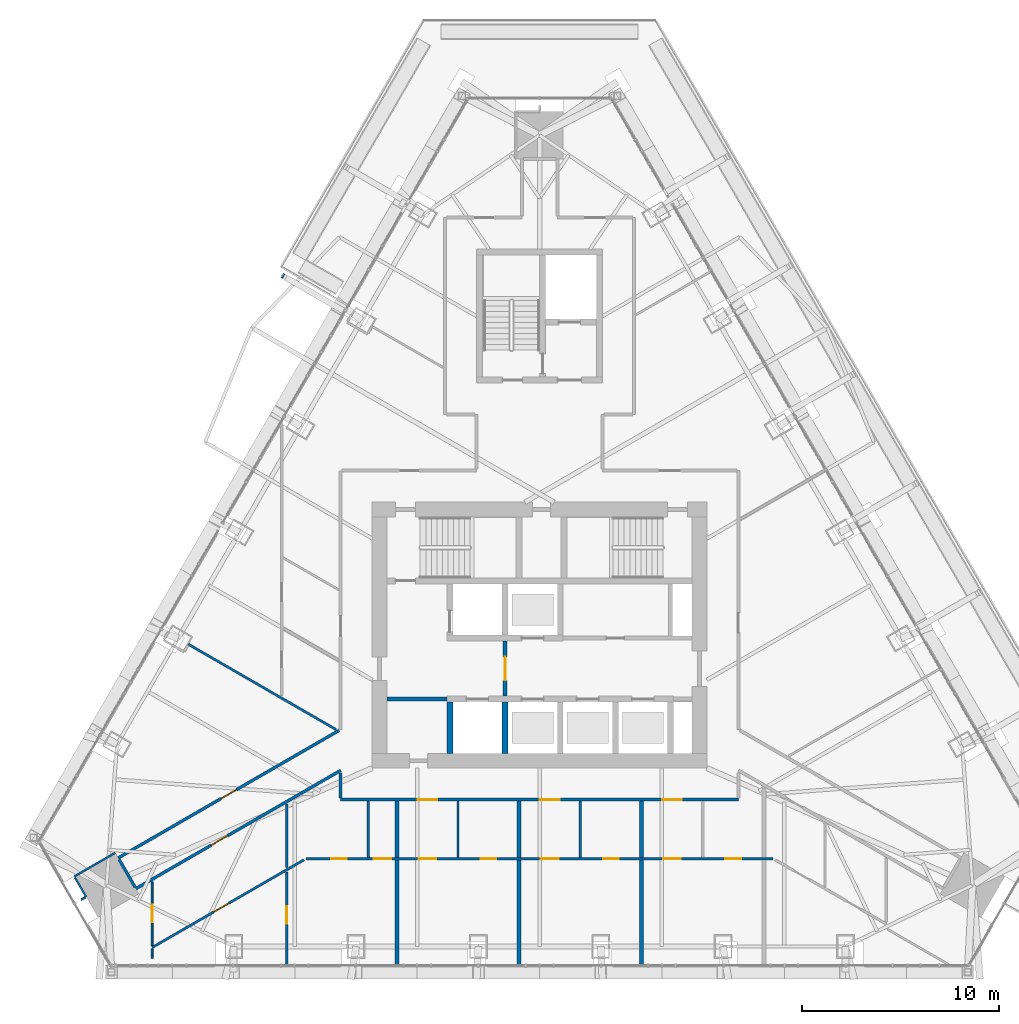
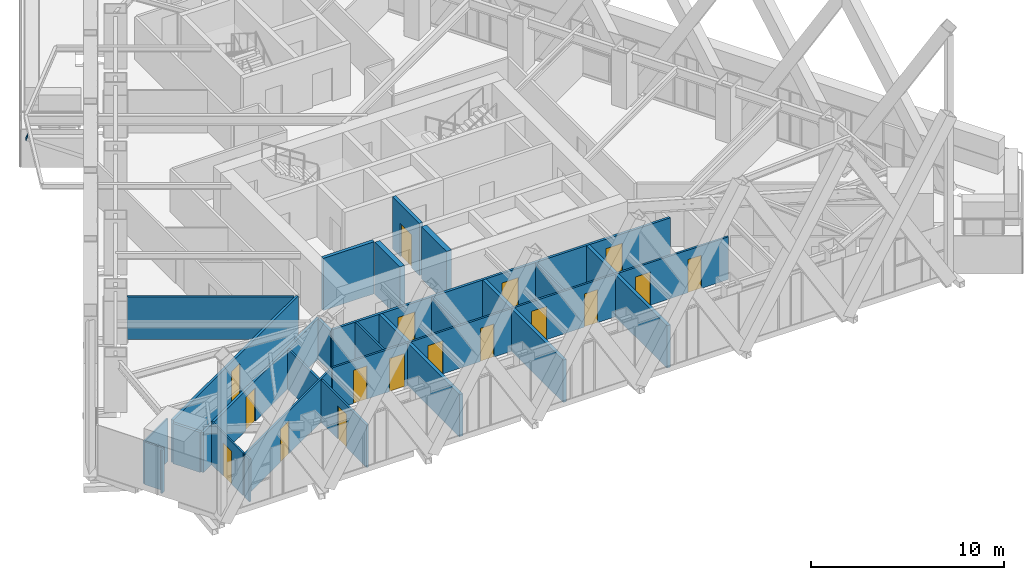
# One storey, part 17 of 23: 28 walls, 17 doors, 1 plate, 17 openings.
"""IFC4 building model written with IfcOpenShell, lengths in metres."""

from ifc_helpers import new_model, si_unit, direction, frame, frame_2d, origin, place, context, subcontext, project, spatial, polyline, rectangle, outline, extrude, material, layer, layer_set, type_object, element, fill, save


model = new_model("IFC4")

# Units and contexts
model_context = context("Model", 3, precision=1e-05, world=origin(), true_north=direction((0.0, 1.0)))
body_context = subcontext(model_context, "Body", "Model", "MODEL_VIEW")
ifc_project = project(units=[si_unit("LENGTHUNIT", "METRE"), si_unit("AREAUNIT", "SQUARE_METRE"), si_unit("VOLUMEUNIT", "CUBIC_METRE"), si_unit("PLANEANGLEUNIT", "RADIAN"), si_unit("MASSUNIT", "GRAM", prefix="KILO")], contexts=[model_context])

# Site, building, storey
site_placement = place(None, origin())
site = spatial("IfcSite", under=ifc_project, at=site_placement, CompositionType="ELEMENT")
building_placement = place(site_placement, origin())
building = spatial("IfcBuilding", under=site, at=building_placement, Name="Firuza Gate Tower and Library", CompositionType="ELEMENT")
storey_placement = place(building_placement, frame((0.0, 0.0, 291.60009765625)))
storey = spatial("IfcBuildingStorey", under=building, at=storey_placement, Name="L70", CompositionType="ELEMENT", Elevation=291.60009765625)

# Plate
ifc_material_1 = material(Name="Steel S355", Category="steel")
ifc_layer_1 = layer(ifc_material_1, 0.02001953125)
ifc_layer_set_1 = layer_set([ifc_layer_1], Name="Strut end plate 254x254x20 Steel S355")
plate_type = type_object("IfcPlateType", Name="Strut end plate 254x254x20 Steel S355", PredefinedType="SHEET", material=ifc_layer_set_1)
plate_placement = place(storey_placement, frame((62.059814453125, 93.337890625, -0.14453125), z_axis=(-0.806901125776, 0.466139884535, 0.362800470323), x_axis=(-0.500268961841, -0.865870051474, -0.00014063566)))
element("IfcPlate", 1, at=plate_placement, inside=storey, type_object=plate_type, Name="Strut end plate L70 col:L69:W2", PredefinedType="SHEET", context=body_context, shape_type="SweptSolid", body=[
    extrude(outline(polyline([(0.0, 0.0), (0.25409888806091846, 0.0), (0.25399501056720564, -0.2538308435052653), (1.8258483299107725e-05, -0.2539075213631812), (0.0, 0.0)])), origin(), (0.0, 0.0, -1.0), 0.02001953125),
])

# Wall
ifc_material_2 = material(Name="Plasterboard on steel studs", Category="steel")
ifc_layer_2 = layer(ifc_material_2, 0.199951171875)
ifc_layer_set_2 = layer_set([ifc_layer_2], Name="Core partition 200 EI 60")
wall_type_1 = type_object("IfcWallType", Name="Core partition 200 EI 60", PredefinedType="PARTITIONING", material=ifc_layer_set_2)
wall_1_placement = place(storey_placement, frame((67.25, 71.75, 0.0), z_axis=(0.0, 0.0, 1.0), x_axis=(1.0, 0.0, 0.0)))
element("IfcWall", 2, at=wall_1_placement, inside=storey, type_object=wall_type_1, Name="Core partition L70 1", PredefinedType="PARTITIONING", context=body_context, shape_type="SweptSolid", body=[
    extrude(rectangle(XDim=3.050048828125, YDim=0.199951171875, at=frame_2d((1.52490234375, 0.0))), origin(), (0.0, 0.0, 1.0), 3.2998046875),
])

# Wall, opening, door
wall_2_placement = place(storey_placement, frame((73.25, 71.89990234375, 0.0), z_axis=(0.0, 0.0, 1.0), x_axis=(0.0, 1.0, 0.0)))
wall_2 = element("IfcWall", 3, at=wall_2_placement, inside=storey, type_object=wall_type_1, Name="Core partition L70 4", PredefinedType="PARTITIONING", context=body_context, shape_type="SweptSolid", body=[
    extrude(rectangle(XDim=2.800048828125, YDim=0.199951171875, at=frame_2d((1.39990234375, 0.0))), origin(), (0.0, 0.0, 1.0), 3.2998046875),
])
opening_1_placement = place(wall_2_placement, frame((0.800048828125, 0.0, 0.0)))
opening_1 = element("IfcOpeningElement", 4, at=opening_1_placement, cuts=wall_2, Name="Opening L70-K14", PredefinedType="OPENING", context=body_context, shape_type="SweptSolid", body=[
    extrude(rectangle(XDim=1.199951171875, YDim=2.10009765625, at=frame_2d((0.60009765625, 1.050048828125))), frame((0.0, 0.10986328125, 0.0), z_axis=(0.0, -1.0, 0.0), x_axis=(1.0, 0.0, 0.0)), (0.0, 0.0, 1.0), 0.219970703125),
])
ifc_material_3 = material(Name="Steel", Category="steel")
door_type_1 = type_object("IfcDoorType", Name="Fire door 1200x2100 FD90S", OperationType="NOTDEFINED", PredefinedType="DOOR", material=ifc_material_3)
door_1_placement = place(opening_1_placement, origin())
door_1 = element("IfcDoor", 5, at=door_1_placement, inside=storey, type_object=door_type_1, Name="Door L70-K14", OperationType="SINGLE_SWING_LEFT", OverallHeight=2.10009765625, OverallWidth=1.199951171875, PredefinedType="DOOR", context=body_context, shape_type="SweptSolid", body=[
    extrude(rectangle(XDim=1.199951171875, YDim=2.10009765625, at=frame_2d((0.60009765625, 1.050048828125))), frame((0.0, 0.02490234375, 0.0), z_axis=(0.0, -1.0, 0.0), x_axis=(1.0, 0.0, 0.0)), (0.0, 0.0, 1.0), 0.050048828125),
])
fill(opening_1, door_1)

# Walls
ifc_material_4 = material(Name="Concrete C60/75", Category="concrete")
ifc_layer_3 = layer(ifc_material_4, 0.300048828125)
ifc_layer_set_3 = layer_set([ifc_layer_3], Name="Core wall 300 C60/75")
wall_type_2 = type_object("IfcWallType", Name="Core wall 300 C60/75", PredefinedType="SHEAR", material=ifc_layer_set_3)
for number, where, z_axis, x_axis, name in (
    (6, (70.449951171875, 69.0, 0.0), (0.0, 0.0, 1.0), (0.0, 1.0, 0.0), "Core wall L70 7"),
    (7, (73.25, 69.0, 0.0), (0.0, 0.0, 1.0), (0.0, 1.0, 0.0), "Core wall L70 9"),
):
    element("IfcWall", number, at=place(storey_placement, frame(where, z_axis=z_axis, x_axis=x_axis)), inside=storey, type_object=wall_type_2, Name=name, PredefinedType="SHEAR", context=body_context, shape_type="SweptSolid", body=[
        extrude(rectangle(XDim=2.60009765625, YDim=0.300048828125, at=frame_2d((1.300048828125, 0.0))), origin(), (0.0, 0.0, 1.0), 3.2998046875),
    ])

# Wall, openings, doors
ifc_material_5 = material(Name="Gypsum board partition")
ifc_layer_4 = layer(ifc_material_5, 0.14990234375)
ifc_layer_set_4 = layer_set([ifc_layer_4], Name="Corridor wall 150 double board on steel studs")
wall_type_3 = type_object("IfcWallType", Name="Corridor wall 150 double board on steel studs", PredefinedType="PARTITIONING", material=ifc_layer_set_4)
wall_3_placement = place(storey_placement, frame((85.10009765625, 66.64990234375, 0.0), z_axis=(0.0, 0.0, 1.0), x_axis=(-1.0, 0.0, 0.0)))
wall_3 = element("IfcWall", 8, at=wall_3_placement, inside=storey, type_object=wall_type_3, Name="f:L70:w001", PredefinedType="PARTITIONING", context=body_context, shape_type="SweptSolid", body=[
    extrude(rectangle(XDim=20.2001953125, YDim=0.14990234375, at=frame_2d((10.10009765625, 0.0))), origin(), (0.0, 0.0, 1.0), 2.699951171875),
])
opening_2_placement = place(wall_3_placement, frame((2.868896484375, 0.0, 0.0)))
opening_2 = element("IfcOpeningElement", 9, at=opening_2_placement, cuts=wall_3, Name="Opening L70-09", PredefinedType="OPENING", context=body_context, shape_type="SweptSolid", body=[
    extrude(rectangle(XDim=1.0, YDim=2.10009765625, at=frame_2d((0.5, 1.050048828125))), frame((0.0, 0.0849609375, 0.0), z_axis=(0.0, -1.0, 0.0), x_axis=(1.0, 0.0, 0.0)), (0.0, 0.0, 1.0), 0.169921875),
])
opening_3_placement = place(wall_3_placement, frame((9.082275390625, 0.0, 0.0)))
opening_3 = element("IfcOpeningElement", 10, at=opening_3_placement, cuts=wall_3, Name="Opening L70-10", PredefinedType="OPENING", context=body_context, shape_type="SweptSolid", body=[
    extrude(rectangle(XDim=1.0, YDim=2.10009765625, at=frame_2d((0.5, 1.050048828125))), frame((0.0, 0.0849609375, 0.0), z_axis=(0.0, -1.0, 0.0), x_axis=(1.0, 0.0, 0.0)), (0.0, 0.0, 1.0), 0.169921875),
])
opening_4_placement = place(wall_3_placement, frame((15.295654296875, 0.0, 0.0)))
opening_4 = element("IfcOpeningElement", 11, at=opening_4_placement, cuts=wall_3, Name="Opening L70-11", PredefinedType="OPENING", context=body_context, shape_type="SweptSolid", body=[
    extrude(rectangle(XDim=1.0, YDim=2.10009765625, at=frame_2d((0.5, 1.050048828125))), frame((0.0, 0.0849609375, 0.0), z_axis=(0.0, -1.0, 0.0), x_axis=(1.0, 0.0, 0.0)), (0.0, 0.0, 1.0), 0.169921875),
])
ifc_material_6 = material(Name="Steel door and timber leaf", Category="steel")
door_type_2 = type_object("IfcDoorType", Name="Fire door 1000 x 2100 steel frame, timber leaf", OperationType="NOTDEFINED", PredefinedType="DOOR", material=ifc_material_6)
door_2_placement = place(opening_2_placement, origin())
door_2 = element("IfcDoor", 12, at=door_2_placement, inside=storey, type_object=door_type_2, Name="f:L70:d009", OperationType="SINGLE_SWING_LEFT", OverallHeight=2.10009765625, OverallWidth=1.0, PredefinedType="DOOR", context=body_context, shape_type="SweptSolid", body=[
    extrude(rectangle(XDim=1.0, YDim=2.10009765625, at=frame_2d((0.5, 1.050048828125))), frame((0.0, 0.02490234375, 0.0), z_axis=(0.0, -1.0, 0.0), x_axis=(1.0, 0.0, 0.0)), (0.0, 0.0, 1.0), 0.050048828125),
])
fill(opening_2, door_2)
door_3_placement = place(opening_3_placement, origin())
door_3 = element("IfcDoor", 13, at=door_3_placement, inside=storey, type_object=door_type_2, Name="f:L70:d010", OperationType="SINGLE_SWING_RIGHT", OverallHeight=2.10009765625, OverallWidth=1.0, PredefinedType="DOOR", context=body_context, shape_type="SweptSolid", body=[
    extrude(rectangle(XDim=1.0, YDim=2.10009765625, at=frame_2d((0.5, 1.050048828125))), frame((0.0, 0.02490234375, 0.0), z_axis=(0.0, -1.0, 0.0), x_axis=(1.0, 0.0, 0.0)), (0.0, 0.0, 1.0), 0.050048828125),
])
fill(opening_3, door_3)
door_4_placement = place(opening_4_placement, origin())
door_4 = element("IfcDoor", 14, at=door_4_placement, inside=storey, type_object=door_type_2, Name="f:L70:d011", OperationType="SINGLE_SWING_LEFT", OverallHeight=2.10009765625, OverallWidth=1.0, PredefinedType="DOOR", context=body_context, shape_type="SweptSolid", body=[
    extrude(rectangle(XDim=1.0, YDim=2.10009765625, at=frame_2d((0.5, 1.050048828125))), frame((0.0, 0.02490234375, 0.0), z_axis=(0.0, -1.0, 0.0), x_axis=(1.0, 0.0, 0.0)), (0.0, 0.0, 1.0), 0.050048828125),
])
fill(opening_4, door_4)

# Wall, opening, door
wall_4_placement = place(storey_placement, frame((64.89990234375, 68.129638671875, 0.0), z_axis=(0.0, 0.0, 1.0), x_axis=(-0.866024746207, -0.500001138955, 0.0)))
wall_4 = element("IfcWall", 15, at=wall_4_placement, inside=storey, type_object=wall_type_3, Name="f:L70:w012", PredefinedType="PARTITIONING", context=body_context, shape_type="SweptSolid", body=[
    extrude(rectangle(XDim=12.0068359375, YDim=0.14990234375, at=frame_2d((6.00341796875, 0.0))), origin(), (0.0, 0.0, 1.0), 2.546875),
])
opening_5_placement = place(wall_4_placement, frame((6.611083984375, 0.0, 0.0)))
opening_5 = element("IfcOpeningElement", 16, at=opening_5_placement, cuts=wall_4, Name="Opening L70-17", PredefinedType="OPENING", context=body_context, shape_type="SweptSolid", body=[
    extrude(rectangle(XDim=1.0, YDim=2.10009765625, at=frame_2d((0.5, 1.050048828125))), frame((0.0, 0.0849609375, 0.0), z_axis=(0.0, -1.0, 0.0), x_axis=(1.0, 0.0, 0.0)), (0.0, 0.0, 1.0), 0.169921875),
])
door_5_placement = place(opening_5_placement, origin())
door_5 = element("IfcDoor", 17, at=door_5_placement, inside=storey, type_object=door_type_2, Name="f:L70:d017", OperationType="SINGLE_SWING_RIGHT", OverallHeight=2.10009765625, OverallWidth=1.0, PredefinedType="DOOR", context=body_context, shape_type="SweptSolid", body=[
    extrude(rectangle(XDim=1.0, YDim=2.10009765625, at=frame_2d((0.5, 1.050048828125))), frame((0.0, 0.02490234375, 0.0), z_axis=(0.0, -1.0, 0.0), x_axis=(1.0, 0.0, 0.0)), (0.0, 0.0, 1.0), 0.050048828125),
])
fill(opening_5, door_5)

wall_5_placement = place(storey_placement, frame((53.601318359375, 63.684814453125, 0.0), z_axis=(0.0, 0.0, 1.0), x_axis=(0.866024967991, 0.500000754816, 0.0)))
wall_5 = element("IfcWall", 18, at=wall_5_placement, inside=storey, type_object=wall_type_3, Name="f:L70:w015", PredefinedType="PARTITIONING", context=body_context, shape_type="SweptSolid", body=[
    extrude(rectangle(XDim=12.9599609375, YDim=0.14990234375, at=frame_2d((6.47998046875, 0.0))), origin(), (0.0, 0.0, 1.0), 2.699951171875),
])
opening_6_placement = place(wall_5_placement, frame((6.030029296875, 0.0, 0.0)))
opening_6 = element("IfcOpeningElement", 19, at=opening_6_placement, cuts=wall_5, Name="Opening L70-18", PredefinedType="OPENING", context=body_context, shape_type="SweptSolid", body=[
    extrude(rectangle(XDim=0.89990234375, YDim=2.10009765625, at=frame_2d((0.449951171875, 1.050048828125))), frame((0.0, 0.0849609375, 0.0), z_axis=(0.0, -1.0, 0.0), x_axis=(1.0, 0.0, 0.0)), (0.0, 0.0, 1.0), 0.169921875),
])
ifc_material_7 = material(Name="Steel door and timber leaf", Category="steel")
door_type_3 = type_object("IfcDoorType", Name="Fire door 900 x 2100 steel frame, timber leaf", OperationType="NOTDEFINED", PredefinedType="DOOR", material=ifc_material_7)
door_6_placement = place(opening_6_placement, origin())
door_6 = element("IfcDoor", 20, at=door_6_placement, inside=storey, type_object=door_type_3, Name="f:L70:d018", OperationType="SINGLE_SWING_RIGHT", OverallHeight=2.10009765625, OverallWidth=0.89990234375, PredefinedType="DOOR", context=body_context, shape_type="SweptSolid", body=[
    extrude(rectangle(XDim=0.89990234375, YDim=2.10009765625, at=frame_2d((0.449951171875, 1.050048828125))), frame((0.0, 0.02490234375, 0.0), z_axis=(0.0, -1.0, 0.0), x_axis=(1.0, 0.0, 0.0)), (0.0, 0.0, 1.0), 0.050048828125),
])
fill(opening_6, door_6)

# Walls
wall_6_placement = place(storey_placement, frame((64.89990234375, 66.72509765625, 0.0), z_axis=(0.0, 0.0, 1.0), x_axis=(0.0, 1.0, 0.0)))
element("IfcWall", 21, at=wall_6_placement, inside=storey, type_object=wall_type_3, Name="f:L70:w043", PredefinedType="PARTITIONING", context=body_context, shape_type="SweptSolid", body=[
    extrude(rectangle(XDim=1.267822265625, YDim=0.14990234375, at=frame_2d((0.6337890625, 0.0))), origin(), (0.0, 0.0, 1.0), 2.546875),
])
wall_7_placement = place(storey_placement, frame((54.464111328125, 62.19140625, 0.0), z_axis=(0.0, 0.0, 1.0), x_axis=(-0.499988108725, 0.866032269107, 0.0)))
element("IfcWall", 22, at=wall_7_placement, inside=storey, type_object=wall_type_3, Name="f:L70:w048", PredefinedType="PARTITIONING", context=body_context, shape_type="SweptSolid", body=[
    extrude(rectangle(XDim=1.64404296875, YDim=0.14990234375, at=frame_2d((0.822021484375, 0.0))), origin(), (0.0, 0.0, 1.0), 2.546875),
])
ifc_material_8 = material(Name="Gypsum board partition")
ifc_layer_5 = layer(ifc_material_8, 0.199951171875)
ifc_layer_set_5 = layer_set([ifc_layer_5], Name="Demising wall 200 acoustic double stud")
wall_type_4 = type_object("IfcWallType", Name="Demising wall 200 acoustic double stud", PredefinedType="PARTITIONING", material=ifc_layer_set_5)
for number, where, z_axis, x_axis, name in (
    (23, (80.177978515625, 58.2275390625, 0.0), (0.0, 0.0, 1.0), (0.0, 1.0, 0.0), "f:L70:w029"),
    (24, (73.964111328125, 58.2275390625, 0.0), (0.0, 0.0, 1.0), (0.0, 1.0, 0.0), "f:L70:w036"),
    (25, (67.7509765625, 58.2275390625, 0.0), (0.0, 0.0, 1.0), (0.0, 1.0, 0.0), "f:L70:w041"),
):
    element("IfcWall", number, at=place(storey_placement, frame(where, z_axis=z_axis, x_axis=x_axis)), inside=storey, type_object=wall_type_4, Name=name, PredefinedType="PARTITIONING", context=body_context, shape_type="SweptSolid", body=[
        extrude(rectangle(XDim=5.362548828125, YDim=0.199951171875, at=frame_2d((2.68115234375, 0.0))), origin(), (0.0, 0.0, 1.0), 2.68798828125),
    ])
for number, where, z_axis, x_axis, name in (
    (26, (80.177978515625, 63.7099609375, 0.0), (0.0, 0.0, 1.0), (0.0, 1.0, 0.0), "f:L70:w062"),
    (27, (73.964111328125, 63.7099609375, 0.0), (0.0, 0.0, 1.0), (0.0, 1.0, 0.0), "f:L70:w064"),
    (28, (67.7509765625, 63.7099609375, 0.0), (0.0, 0.0, 1.0), (0.0, 1.0, 0.0), "f:L70:w065"),
):
    element("IfcWall", number, at=place(storey_placement, frame(where, z_axis=z_axis, x_axis=x_axis)), inside=storey, type_object=wall_type_4, Name=name, PredefinedType="PARTITIONING", context=body_context, shape_type="SweptSolid", body=[
        extrude(rectangle(XDim=2.864990234375, YDim=0.199951171875, at=frame_2d((1.4326171875, 0.0))), origin(), (0.0, 0.0, 1.0), 2.699951171875),
    ])
ifc_material_9 = material(Name="Gypsum board partition")
ifc_layer_6 = layer(ifc_material_9, 0.10009765625)
ifc_layer_set_6 = layer_set([ifc_layer_6], Name="Partition 100 gypsum board on steel studs")
wall_type_5 = type_object("IfcWallType", Name="Partition 100 gypsum board on steel studs", PredefinedType="PARTITIONING", material=ifc_layer_set_6)
wall_8_placement = place(storey_placement, frame((51.713134765625, 61.555419921875, 0.0), z_axis=(0.0, 0.0, 1.0), x_axis=(0.866071776036, 0.499919672301, 0.0)))
element("IfcWall", 29, at=wall_8_placement, inside=storey, type_object=wall_type_5, Name="f:L70:w013", PredefinedType="PARTITIONING", context=body_context, shape_type="SweptSolid", body=[
    extrude(rectangle(XDim=0.25, YDim=0.10009765625, at=frame_2d((0.125, 0.0))), origin(), (0.0, 0.0, 1.0), 2.699951171875),
])
wall_9_placement = place(storey_placement, frame((51.373291015625, 62.744873046875, 0.0), z_axis=(0.0, 0.0, 1.0), x_axis=(0.866036455013, 0.499980858223, 0.0)))
element("IfcWall", 30, at=wall_9_placement, inside=storey, type_object=wall_type_5, Name="f:L70:w016", PredefinedType="PARTITIONING", context=body_context, shape_type="SweptSolid", body=[
    extrude(rectangle(XDim=2.39892578125, YDim=0.10009765625, at=frame_2d((1.199462890625, 0.0))), origin(), (0.0, 0.0, 1.0), 2.699951171875),
])
wall_10_placement = place(storey_placement, frame((55.323974609375, 58.587646484375, 0.0), z_axis=(0.0, 0.0, 1.0), x_axis=(0.0, 1.0, 0.0)))
element("IfcWall", 31, at=wall_10_placement, inside=storey, type_object=wall_type_5, Name="f:L70:w047", PredefinedType="PARTITIONING", context=body_context, shape_type="SweptSolid", body=[
    extrude(rectangle(XDim=0.49755859375, YDim=0.10009765625, at=frame_2d((0.248779296875, 0.0))), origin(), (0.0, 0.0, 1.0), 2.699951171875),
])
wall_11_placement = place(storey_placement, frame((51.973388671875, 61.70556640625, 0.0), z_axis=(0.0, 0.0, 1.0), x_axis=(-0.500022773673, 0.866012254999, 0.0)))
element("IfcWall", 32, at=wall_11_placement, inside=storey, type_object=wall_type_5, Name="f:L70:w049", PredefinedType="PARTITIONING", context=body_context, shape_type="SweptSolid", body=[
    extrude(rectangle(XDim=1.1494140625, YDim=0.10009765625, at=frame_2d((0.57470703125, 0.0))), origin(), (0.0, 0.0, 1.0), 2.699951171875),
])

# Wall, opening, door
wall_12_placement = place(storey_placement, frame((55.323974609375, 62.484375, 0.0), z_axis=(0.0, 0.0, 1.0), x_axis=(0.0, -1.0, 0.0)))
wall_12 = element("IfcWall", 33, at=wall_12_placement, inside=storey, type_object=wall_type_5, Name="f:L70:w063", PredefinedType="PARTITIONING", context=body_context, shape_type="SweptSolid", body=[
    extrude(rectangle(XDim=3.24951171875, YDim=0.10009765625, at=frame_2d((1.624755859375, 0.0))), origin(), (0.0, 0.0, 1.0), 2.699951171875),
])
opening_7_placement = place(wall_12_placement, frame((1.1748046875, 0.0, 0.0)))
opening_7 = element("IfcOpeningElement", 34, at=opening_7_placement, cuts=wall_12, Name="Opening L70-28", PredefinedType="OPENING", context=body_context, shape_type="SweptSolid", body=[
    extrude(rectangle(XDim=0.89990234375, YDim=2.10009765625, at=frame_2d((0.449951171875, 1.050048828125))), frame((0.0, 0.06005859375, 0.0), z_axis=(0.0, -1.0, 0.0), x_axis=(1.0, 0.0, 0.0)), (0.0, 0.0, 1.0), 0.1201171875),
])
ifc_material_10 = material(Name="Timber door", Category="wood")
door_type_4 = type_object("IfcDoorType", Name="Door 900 x 2100 timber leaf", OperationType="NOTDEFINED", PredefinedType="DOOR", material=ifc_material_10)
door_7_placement = place(opening_7_placement, origin())
door_7 = element("IfcDoor", 35, at=door_7_placement, inside=storey, type_object=door_type_4, Name="f:L70:d028", OperationType="SINGLE_SWING_RIGHT", OverallHeight=2.10009765625, OverallWidth=0.89990234375, PredefinedType="DOOR", context=body_context, shape_type="SweptSolid", body=[
    extrude(rectangle(XDim=0.89990234375, YDim=2.10009765625, at=frame_2d((0.449951171875, 1.050048828125))), frame((0.0, 0.02490234375, 0.0), z_axis=(0.0, -1.0, 0.0), x_axis=(1.0, 0.0, 0.0)), (0.0, 0.0, 1.0), 0.050048828125),
])
fill(opening_7, door_7)

# Wall, openings, doors
ifc_material_11 = material(Name="Gypsum board partition")
ifc_layer_7 = layer(ifc_material_11, 0.1201171875)
ifc_layer_set_7 = layer_set([ifc_layer_7], Name="Wet-area partition 120 moisture-resistant board")
wall_type_6 = type_object("IfcWallType", Name="Wet-area partition 120 moisture-resistant board", PredefinedType="PARTITIONING", material=ifc_layer_set_7)
wall_13_placement = place(storey_placement, frame((63.14111328125, 63.64990234375, 0.0), z_axis=(0.0, 0.0, 1.0), x_axis=(1.0, 0.0, 0.0)))
wall_13 = element("IfcWall", 36, at=wall_13_placement, inside=storey, type_object=wall_type_6, Name="f:L70:w000", PredefinedType="PARTITIONING", context=body_context, shape_type="SweptSolid", body=[
    extrude(rectangle(XDim=23.7177734375, YDim=0.1201171875, at=frame_2d((11.85888671875, 0.0))), origin(), (0.0, 0.0, 1.0), 2.699951171875),
])
opening_8_placement = place(wall_13_placement, frame((1.275634765625, 0.0, 0.0)))
opening_8 = element("IfcOpeningElement", 37, at=opening_8_placement, cuts=wall_13, Name="Opening L70-01", PredefinedType="OPENING", context=body_context, shape_type="SweptSolid", body=[
    extrude(rectangle(XDim=0.800048828125, YDim=2.10009765625, at=frame_2d((0.39990234375, 1.050048828125))), frame((0.0, 0.070068359375, 0.0), z_axis=(0.0, -1.0, 0.0), x_axis=(1.0, 0.0, 0.0)), (0.0, 0.0, 1.0), 0.14013671875),
])
opening_9_placement = place(wall_13_placement, frame((3.430419921875, 0.0, 0.0)))
opening_9 = element("IfcOpeningElement", 38, at=opening_9_placement, cuts=wall_13, Name="Opening L70-02", PredefinedType="OPENING", context=body_context, shape_type="SweptSolid", body=[
    extrude(rectangle(XDim=0.89990234375, YDim=2.10009765625, at=frame_2d((0.449951171875, 1.050048828125))), frame((0.0, 0.070068359375, 0.0), z_axis=(0.0, -1.0, 0.0), x_axis=(1.0, 0.0, 0.0)), (0.0, 0.0, 1.0), 0.14013671875),
])
opening_10_placement = place(wall_13_placement, frame((5.71484375, 0.0, 0.0)))
opening_10 = element("IfcOpeningElement", 39, at=opening_10_placement, cuts=wall_13, Name="Opening L70-03", PredefinedType="OPENING", context=body_context, shape_type="SweptSolid", body=[
    extrude(rectangle(XDim=0.89990234375, YDim=2.10009765625, at=frame_2d((0.449951171875, 1.050048828125))), frame((0.0, 0.070068359375, 0.0), z_axis=(0.0, -1.0, 0.0), x_axis=(1.0, 0.0, 0.0)), (0.0, 0.0, 1.0), 0.14013671875),
])
opening_11_placement = place(wall_13_placement, frame((8.869873046875, 0.0, 0.0)))
opening_11 = element("IfcOpeningElement", 40, at=opening_11_placement, cuts=wall_13, Name="Opening L70-04", PredefinedType="OPENING", context=body_context, shape_type="SweptSolid", body=[
    extrude(rectangle(XDim=0.800048828125, YDim=2.10009765625, at=frame_2d((0.39990234375, 1.050048828125))), frame((0.0, 0.070068359375, 0.0), z_axis=(0.0, -1.0, 0.0), x_axis=(1.0, 0.0, 0.0)), (0.0, 0.0, 1.0), 0.14013671875),
])
opening_12_placement = place(wall_13_placement, frame((11.927978515625, 0.0, 0.0)))
opening_12 = element("IfcOpeningElement", 41, at=opening_12_placement, cuts=wall_13, Name="Opening L70-05", PredefinedType="OPENING", context=body_context, shape_type="SweptSolid", body=[
    extrude(rectangle(XDim=0.89990234375, YDim=2.10009765625, at=frame_2d((0.449951171875, 1.050048828125))), frame((0.0, 0.070068359375, 0.0), z_axis=(0.0, -1.0, 0.0), x_axis=(1.0, 0.0, 0.0)), (0.0, 0.0, 1.0), 0.14013671875),
])
opening_13_placement = place(wall_13_placement, frame((15.083251953125, 0.0, 0.0)))
opening_13 = element("IfcOpeningElement", 42, at=opening_13_placement, cuts=wall_13, Name="Opening L70-06", PredefinedType="OPENING", context=body_context, shape_type="SweptSolid", body=[
    extrude(rectangle(XDim=0.800048828125, YDim=2.10009765625, at=frame_2d((0.39990234375, 1.050048828125))), frame((0.0, 0.070068359375, 0.0), z_axis=(0.0, -1.0, 0.0), x_axis=(1.0, 0.0, 0.0)), (0.0, 0.0, 1.0), 0.14013671875),
])
opening_14_placement = place(wall_13_placement, frame((18.141357421875, 0.0, 0.0)))
opening_14 = element("IfcOpeningElement", 43, at=opening_14_placement, cuts=wall_13, Name="Opening L70-07", PredefinedType="OPENING", context=body_context, shape_type="SweptSolid", body=[
    extrude(rectangle(XDim=0.89990234375, YDim=2.10009765625, at=frame_2d((0.449951171875, 1.050048828125))), frame((0.0, 0.070068359375, 0.0), z_axis=(0.0, -1.0, 0.0), x_axis=(1.0, 0.0, 0.0)), (0.0, 0.0, 1.0), 0.14013671875),
])
opening_15_placement = place(wall_13_placement, frame((21.296630859375, 0.0, 0.0)))
opening_15 = element("IfcOpeningElement", 44, at=opening_15_placement, cuts=wall_13, Name="Opening L70-08", PredefinedType="OPENING", context=body_context, shape_type="SweptSolid", body=[
    extrude(rectangle(XDim=0.800048828125, YDim=2.10009765625, at=frame_2d((0.39990234375, 1.050048828125))), frame((0.0, 0.070068359375, 0.0), z_axis=(0.0, -1.0, 0.0), x_axis=(1.0, 0.0, 0.0)), (0.0, 0.0, 1.0), 0.14013671875),
])
ifc_material_12 = material(Name="Timber door", Category="wood")
door_type_5 = type_object("IfcDoorType", Name="Door 800 x 2100 timber leaf", OperationType="NOTDEFINED", PredefinedType="DOOR", material=ifc_material_12)
door_8_placement = place(opening_8_placement, origin())
door_8 = element("IfcDoor", 45, at=door_8_placement, inside=storey, type_object=door_type_5, Name="f:L70:d001", OperationType="SINGLE_SWING_RIGHT", OverallHeight=2.10009765625, OverallWidth=0.800048828125, PredefinedType="DOOR", context=body_context, shape_type="SweptSolid", body=[
    extrude(rectangle(XDim=0.800048828125, YDim=2.10009765625, at=frame_2d((0.39990234375, 1.050048828125))), frame((0.0, 0.02490234375, 0.0), z_axis=(0.0, -1.0, 0.0), x_axis=(1.0, 0.0, 0.0)), (0.0, 0.0, 1.0), 0.050048828125),
])
fill(opening_8, door_8)
door_9_placement = place(opening_11_placement, origin())
door_9 = element("IfcDoor", 46, at=door_9_placement, inside=storey, type_object=door_type_5, Name="f:L70:d004", OperationType="SINGLE_SWING_LEFT", OverallHeight=2.10009765625, OverallWidth=0.800048828125, PredefinedType="DOOR", context=body_context, shape_type="SweptSolid", body=[
    extrude(rectangle(XDim=0.800048828125, YDim=2.10009765625, at=frame_2d((0.39990234375, 1.050048828125))), frame((0.0, 0.02490234375, 0.0), z_axis=(0.0, -1.0, 0.0), x_axis=(1.0, 0.0, 0.0)), (0.0, 0.0, 1.0), 0.050048828125),
])
fill(opening_11, door_9)
door_10_placement = place(opening_13_placement, origin())
door_10 = element("IfcDoor", 47, at=door_10_placement, inside=storey, type_object=door_type_5, Name="f:L70:d006", OperationType="SINGLE_SWING_RIGHT", OverallHeight=2.10009765625, OverallWidth=0.800048828125, PredefinedType="DOOR", context=body_context, shape_type="SweptSolid", body=[
    extrude(rectangle(XDim=0.800048828125, YDim=2.10009765625, at=frame_2d((0.39990234375, 1.050048828125))), frame((0.0, 0.02490234375, 0.0), z_axis=(0.0, -1.0, 0.0), x_axis=(1.0, 0.0, 0.0)), (0.0, 0.0, 1.0), 0.050048828125),
])
fill(opening_13, door_10)
door_11_placement = place(opening_15_placement, origin())
door_11 = element("IfcDoor", 48, at=door_11_placement, inside=storey, type_object=door_type_5, Name="f:L70:d008", OperationType="SINGLE_SWING_LEFT", OverallHeight=2.10009765625, OverallWidth=0.800048828125, PredefinedType="DOOR", context=body_context, shape_type="SweptSolid", body=[
    extrude(rectangle(XDim=0.800048828125, YDim=2.10009765625, at=frame_2d((0.39990234375, 1.050048828125))), frame((0.0, 0.02490234375, 0.0), z_axis=(0.0, -1.0, 0.0), x_axis=(1.0, 0.0, 0.0)), (0.0, 0.0, 1.0), 0.050048828125),
])
fill(opening_15, door_11)
door_12_placement = place(opening_9_placement, origin())
door_12 = element("IfcDoor", 49, at=door_12_placement, inside=storey, type_object=door_type_4, Name="f:L70:d002", OperationType="SINGLE_SWING_LEFT", OverallHeight=2.10009765625, OverallWidth=0.89990234375, PredefinedType="DOOR", context=body_context, shape_type="SweptSolid", body=[
    extrude(rectangle(XDim=0.89990234375, YDim=2.10009765625, at=frame_2d((0.449951171875, 1.050048828125))), frame((0.0, 0.02490234375, 0.0), z_axis=(0.0, -1.0, 0.0), x_axis=(1.0, 0.0, 0.0)), (0.0, 0.0, 1.0), 0.050048828125),
])
fill(opening_9, door_12)
door_13_placement = place(opening_10_placement, origin())
door_13 = element("IfcDoor", 50, at=door_13_placement, inside=storey, type_object=door_type_4, Name="f:L70:d003", OperationType="SINGLE_SWING_LEFT", OverallHeight=2.10009765625, OverallWidth=0.89990234375, PredefinedType="DOOR", context=body_context, shape_type="SweptSolid", body=[
    extrude(rectangle(XDim=0.89990234375, YDim=2.10009765625, at=frame_2d((0.449951171875, 1.050048828125))), frame((0.0, 0.02490234375, 0.0), z_axis=(0.0, -1.0, 0.0), x_axis=(1.0, 0.0, 0.0)), (0.0, 0.0, 1.0), 0.050048828125),
])
fill(opening_10, door_13)
door_14_placement = place(opening_12_placement, origin())
door_14 = element("IfcDoor", 51, at=door_14_placement, inside=storey, type_object=door_type_4, Name="f:L70:d005", OperationType="SINGLE_SWING_RIGHT", OverallHeight=2.10009765625, OverallWidth=0.89990234375, PredefinedType="DOOR", context=body_context, shape_type="SweptSolid", body=[
    extrude(rectangle(XDim=0.89990234375, YDim=2.10009765625, at=frame_2d((0.449951171875, 1.050048828125))), frame((0.0, 0.02490234375, 0.0), z_axis=(0.0, -1.0, 0.0), x_axis=(1.0, 0.0, 0.0)), (0.0, 0.0, 1.0), 0.050048828125),
])
fill(opening_12, door_14)
door_15_placement = place(opening_14_placement, origin())
door_15 = element("IfcDoor", 52, at=door_15_placement, inside=storey, type_object=door_type_4, Name="f:L70:d007", OperationType="SINGLE_SWING_LEFT", OverallHeight=2.10009765625, OverallWidth=0.89990234375, PredefinedType="DOOR", context=body_context, shape_type="SweptSolid", body=[
    extrude(rectangle(XDim=0.89990234375, YDim=2.10009765625, at=frame_2d((0.449951171875, 1.050048828125))), frame((0.0, 0.02490234375, 0.0), z_axis=(0.0, -1.0, 0.0), x_axis=(1.0, 0.0, 0.0)), (0.0, 0.0, 1.0), 0.050048828125),
])
fill(opening_14, door_15)

# Wall, opening, door
wall_14_placement = place(storey_placement, frame((63.037353515625, 63.590087890625, 0.0), z_axis=(0.0, 0.0, 1.0), x_axis=(-0.866021245731, -0.500007201891, 0.0)))
wall_14 = element("IfcWall", 53, at=wall_14_placement, inside=storey, type_object=wall_type_6, Name="f:L70:w011", PredefinedType="PARTITIONING", context=body_context, shape_type="SweptSolid", body=[
    extrude(rectangle(XDim=8.906005859375, YDim=0.1201171875, at=frame_2d((4.453125, 0.0))), origin(), (0.0, 0.0, 1.0), 2.699951171875),
])
opening_16_placement = place(wall_14_placement, frame((4.41015625, 0.0, 0.0)))
opening_16 = element("IfcOpeningElement", 54, at=opening_16_placement, cuts=wall_14, Name="Opening L70-16", PredefinedType="OPENING", context=body_context, shape_type="SweptSolid", body=[
    extrude(rectangle(XDim=0.89990234375, YDim=2.10009765625, at=frame_2d((0.449951171875, 1.050048828125))), frame((0.0, 0.070068359375, 0.0), z_axis=(0.0, -1.0, 0.0), x_axis=(1.0, 0.0, 0.0)), (0.0, 0.0, 1.0), 0.14013671875),
])
door_16_placement = place(opening_16_placement, origin())
door_16 = element("IfcDoor", 55, at=door_16_placement, inside=storey, type_object=door_type_4, Name="f:L70:d016", OperationType="SINGLE_SWING_LEFT", OverallHeight=2.10009765625, OverallWidth=0.89990234375, PredefinedType="DOOR", context=body_context, shape_type="SweptSolid", body=[
    extrude(rectangle(XDim=0.89990234375, YDim=2.10009765625, at=frame_2d((0.449951171875, 1.050048828125))), frame((0.0, 0.02490234375, 0.0), z_axis=(0.0, -1.0, 0.0), x_axis=(1.0, 0.0, 0.0)), (0.0, 0.0, 1.0), 0.050048828125),
])
fill(opening_16, door_16)

# Walls
for number, where, z_axis, x_axis, name in (
    (56, (77.071044921875, 63.7099609375, 0.0), (0.0, 0.0, 1.0), (0.0, 1.0, 0.0), "f:L70:w032"),
    (57, (70.85791015625, 63.7099609375, 0.0), (0.0, 0.0, 1.0), (0.0, 1.0, 0.0), "f:L70:w039"),
    (58, (66.2919921875, 63.7099609375, 0.0), (0.0, 0.0, 1.0), (0.0, 1.0, 0.0), "f:L70:w042"),
):
    element("IfcWall", number, at=place(storey_placement, frame(where, z_axis=z_axis, x_axis=x_axis)), inside=storey, type_object=wall_type_6, Name=name, PredefinedType="PARTITIONING", context=body_context, shape_type="SweptSolid", body=[
        extrude(rectangle(XDim=2.864990234375, YDim=0.1201171875, at=frame_2d((1.4326171875, 0.0))), origin(), (0.0, 0.0, 1.0), 2.699951171875),
    ])

# Wall, opening, door
wall_15_placement = place(storey_placement, frame((62.158935546875, 62.97900390625, 0.0), z_axis=(0.0, 0.0, 1.0), x_axis=(0.0, -1.0, 0.0)))
wall_15 = element("IfcWall", 59, at=wall_15_placement, inside=storey, type_object=wall_type_6, Name="f:L70:w045", PredefinedType="PARTITIONING", context=body_context, shape_type="SweptSolid", body=[
    extrude(rectangle(XDim=4.75146484375, YDim=0.1201171875, at=frame_2d((2.375732421875, 0.0))), origin(), (0.0, 0.0, 1.0), 2.68798828125),
])
opening_17_placement = place(wall_15_placement, frame((1.74560546875, 0.0, 0.0)))
opening_17 = element("IfcOpeningElement", 60, at=opening_17_placement, cuts=wall_15, Name="Opening L70-21", PredefinedType="OPENING", context=body_context, shape_type="SweptSolid", body=[
    extrude(rectangle(XDim=0.89990234375, YDim=2.10009765625, at=frame_2d((0.449951171875, 1.050048828125))), frame((0.0, 0.070068359375, 0.0), z_axis=(0.0, -1.0, 0.0), x_axis=(1.0, 0.0, 0.0)), (0.0, 0.0, 1.0), 0.14013671875),
])
door_17_placement = place(opening_17_placement, origin())
door_17 = element("IfcDoor", 61, at=door_17_placement, inside=storey, type_object=door_type_4, Name="f:L70:d021", OperationType="SINGLE_SWING_LEFT", OverallHeight=2.10009765625, OverallWidth=0.89990234375, PredefinedType="DOOR", context=body_context, shape_type="SweptSolid", body=[
    extrude(rectangle(XDim=0.89990234375, YDim=2.10009765625, at=frame_2d((0.449951171875, 1.050048828125))), frame((0.0, 0.02490234375, 0.0), z_axis=(0.0, -1.0, 0.0), x_axis=(1.0, 0.0, 0.0)), (0.0, 0.0, 1.0), 0.050048828125),
])
fill(opening_17, door_17)

# Walls
wall_16_placement = place(storey_placement, frame((64.67041015625, 70.2021484375, 0.0), z_axis=(0.0, 0.0, 1.0), x_axis=(-0.866027476775, 0.499996409458, 0.0)))
element("IfcWall", 62, at=wall_16_placement, inside=storey, type_object=wall_type_6, Name="f:L70:w058", PredefinedType="PARTITIONING", context=body_context, shape_type="SweptSolid", body=[
    extrude(rectangle(XDim=8.66552734375, YDim=0.1201171875, at=frame_2d((4.332763671875, 0.0))), origin(), (0.0, 0.0, 1.0), 2.699951171875),
])
wall_17_placement = place(storey_placement, frame((62.158935546875, 63.18701171875, 0.0), z_axis=(0.0, 0.0, 1.0), x_axis=(0.0, 1.0, 0.0)))
element("IfcWall", 63, at=wall_17_placement, inside=storey, type_object=wall_type_6, Name="f:L70:w061", PredefinedType="PARTITIONING", context=body_context, shape_type="SweptSolid", body=[
    extrude(rectangle(XDim=3.2333984375, YDim=0.1201171875, at=frame_2d((1.61669921875, 0.0))), origin(), (0.0, 0.0, 1.0), 2.546875),
])

save(model, "model.ifc")
